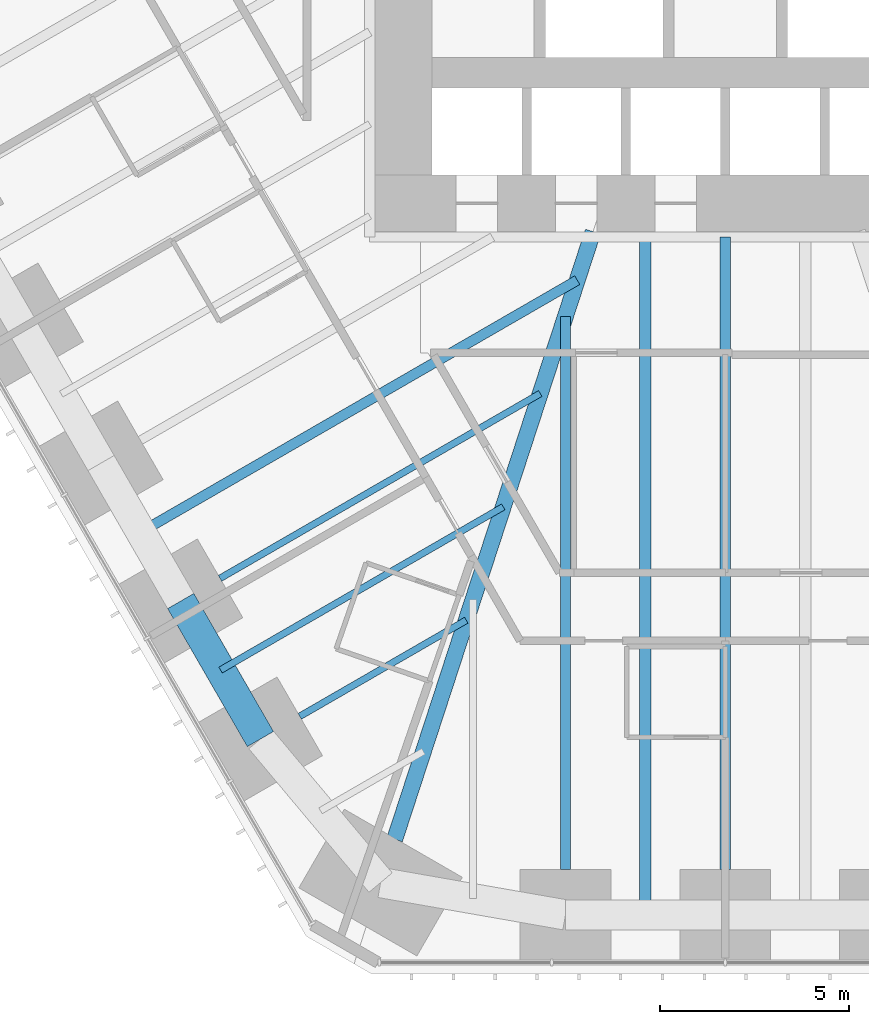
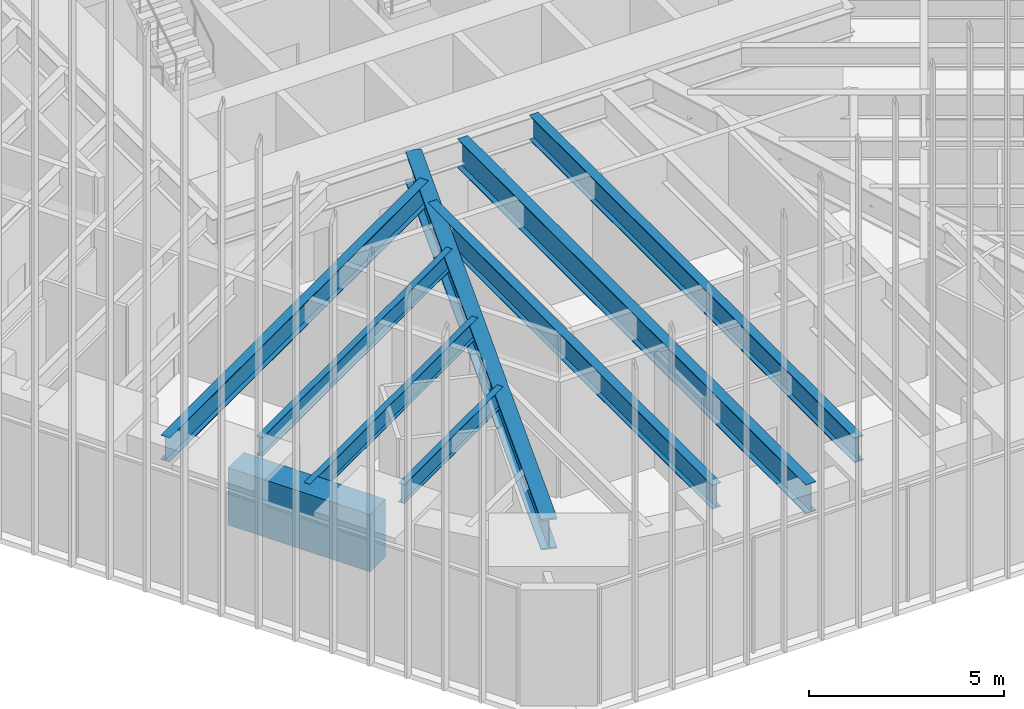
# One storey, part 39 of 256: 9 beams.
"""IFC4 building model written with IfcOpenShell, lengths in metres."""

from ifc_helpers import new_model, si_unit, direction, frame, origin, origin_2d, place, context, subcontext, project, spatial, rectangle, i_section, extrude, material, material_profile, profile_set, type_object, element, save


model = new_model("IFC4")

# Units and contexts
model_context = context("Model", 3, precision=1e-05, world=origin(), true_north=direction((0.0, 1.0)))
body_context = subcontext(model_context, "Body", "Model", "MODEL_VIEW")
ifc_project = project(units=[si_unit("LENGTHUNIT", "METRE"), si_unit("AREAUNIT", "SQUARE_METRE"), si_unit("VOLUMEUNIT", "CUBIC_METRE"), si_unit("PLANEANGLEUNIT", "RADIAN"), si_unit("MASSUNIT", "GRAM", prefix="KILO")], contexts=[model_context])

# Site, building, storey
site_placement = place(None, origin())
site = spatial("IfcSite", under=ifc_project, at=site_placement, CompositionType="ELEMENT")
building_placement = place(site_placement, origin())
building = spatial("IfcBuilding", under=site, at=building_placement, Name="Sandreach Pilgrim Tower", CompositionType="ELEMENT")
storey_placement = place(building_placement, frame((0.0, 0.0, 23.0)))
storey = spatial("IfcBuildingStorey", under=building, at=storey_placement, Name="L04", CompositionType="ELEMENT", Elevation=23.0)

# Beams
ifc_material_1 = material(Name="Steel ASTM A992 Grade 50", Category="steel")
ifc_material_profile_1 = material_profile(ifc_material_1, i_section(OverallWidth=0.424072265625, OverallDepth=0.965087890625, WebThickness=0.028564453125, FlangeThickness=0.051025390625, at=origin_2d()), Name="W36X361")
ifc_profile_set_1 = profile_set([ifc_material_profile_1], Name="Steel ASTM A992 Grade 50")
beam_type_1 = type_object("IfcBeamType", Name="Corner girder W36X361", PredefinedType="BEAM", material=ifc_profile_set_1)
beam_1_placement = place(storey_placement, frame((-8.73388671875, -26.756103515625, 3.157470703125), z_axis=(0.310315410754, 0.950633654911, 0.0), x_axis=(-0.950633654911, 0.310315410754, 0.0)))
element("IfcBeam", 1, at=beam_1_placement, inside=storey, type_object=beam_type_1, Name="BM L04 CG26", PredefinedType="BEAM", context=body_context, shape_type="SweptSolid", body=[
    extrude(i_section(OverallWidth=0.424072265625, OverallDepth=0.965087890625, WebThickness=0.028564453125, FlangeThickness=0.051025390625, at=origin_2d()), origin(), (0.0, 0.0, 1.0), 16.889892578125),
])
ifc_material_2 = material(Name="Steel ASTM A992 Grade 50", Category="steel")
ifc_material_profile_2 = material_profile(ifc_material_2, i_section(OverallWidth=0.1787109375, OverallDepth=0.60205078125, WebThickness=0.010986328125, FlangeThickness=0.014892578125, at=origin_2d()), Name="W24X62")
ifc_profile_set_2 = profile_set([ifc_material_profile_2], Name="Steel ASTM A992 Grade 50")
beam_type_2 = type_object("IfcBeamType", Name="Floor beam W24X62", PredefinedType="BEAM", material=ifc_profile_set_2)
beam_2_placement = place(storey_placement, frame((-11.242431640625, -23.5048828125, 3.339111328125), z_axis=(0.866027897259, 0.49999568115, 0.0), x_axis=(-0.49999568115, 0.866027897259, 0.0)))
element("IfcBeam", 2, at=beam_2_placement, inside=storey, type_object=beam_type_2, Name="BM L04 F27", PredefinedType="BEAM", context=body_context, shape_type="SweptSolid", body=[
    extrude(i_section(OverallWidth=0.1787109375, OverallDepth=0.60205078125, WebThickness=0.010986328125, FlangeThickness=0.014892578125, at=origin_2d()), origin(), (0.0, 0.0, 1.0), 5.0791015625),
])
beam_3_placement = place(storey_placement, frame((-13.347412109375, -19.859130859375, 3.339111328125), z_axis=(0.866025751498, 0.499999397742, 0.0), x_axis=(-0.499999397742, 0.866025751498, 0.0)))
element("IfcBeam", 3, at=beam_3_placement, inside=storey, type_object=beam_type_2, Name="BM L04 F28", PredefinedType="BEAM", context=body_context, shape_type="SweptSolid", body=[
    extrude(i_section(OverallWidth=0.1787109375, OverallDepth=0.60205078125, WebThickness=0.010986328125, FlangeThickness=0.014892578125, at=origin_2d()), origin(), (0.0, 0.0, 1.0), 9.767578125),
])
beam_4_placement = place(storey_placement, frame((-13.334228515625, -22.281982421875, 3.339111328125), z_axis=(0.86602717807, 0.499996926835, 0.0), x_axis=(-0.499996926835, 0.86602717807, 0.0)))
element("IfcBeam", 4, at=beam_4_placement, inside=storey, type_object=beam_type_2, Name="BM L04 FM27", PredefinedType="BEAM", context=body_context, shape_type="SweptSolid", body=[
    extrude(i_section(OverallWidth=0.1787109375, OverallDepth=0.60205078125, WebThickness=0.010986328125, FlangeThickness=0.014892578125, at=origin_2d()), origin(), (0.0, 0.0, 1.0), 8.62353515625),
])
ifc_material_3 = material(Name="Steel ASTM A992 Grade 50", Category="steel")
ifc_material_profile_3 = material_profile(ifc_material_3, i_section(OverallWidth=0.2666015625, OverallDepth=0.761962890625, WebThickness=0.014404296875, FlangeThickness=0.021484375, at=origin_2d()), Name="W30X116")
ifc_profile_set_3 = profile_set([ifc_material_profile_3], Name="Steel ASTM A992 Grade 50")
beam_type_3 = type_object("IfcBeamType", Name="Floor beam W30X116", PredefinedType="BEAM", material=ifc_profile_set_3)
beam_5_placement = place(storey_placement, frame((-4.222412109375, -27.55078125, 3.259033203125), z_axis=(0.0, 1.0, 0.0), x_axis=(-1.0, 0.0, 0.0)))
element("IfcBeam", 5, at=beam_5_placement, inside=storey, type_object=beam_type_3, Name="BM L04 F25", PredefinedType="BEAM", context=body_context, shape_type="SweptSolid", body=[
    extrude(i_section(OverallWidth=0.2666015625, OverallDepth=0.761962890625, WebThickness=0.014404296875, FlangeThickness=0.021484375, at=origin_2d()), origin(), (0.0, 0.0, 1.0), 14.61572265625),
])
beam_6_placement = place(storey_placement, frame((-15.43896484375, -18.63623046875, 3.259033203125), z_axis=(0.866021271874, 0.50000715661, 0.0), x_axis=(-0.50000715661, 0.866021271874, 0.0)))
element("IfcBeam", 6, at=beam_6_placement, inside=storey, type_object=beam_type_3, Name="BM L04 FM28", PredefinedType="BEAM", context=body_context, shape_type="SweptSolid", body=[
    extrude(i_section(OverallWidth=0.2666015625, OverallDepth=0.761962890625, WebThickness=0.014404296875, FlangeThickness=0.021484375, at=origin_2d()), origin(), (0.0, 0.0, 1.0), 13.311767578125),
])
ifc_material_4 = material(Name="Steel ASTM A992 Grade 50", Category="steel")
ifc_material_profile_4 = material_profile(ifc_material_4, i_section(OverallWidth=0.2666015625, OverallDepth=0.77978515625, WebThickness=0.0166015625, FlangeThickness=0.030029296875, at=origin_2d()), Name="W30X148")
ifc_profile_set_4 = profile_set([ifc_material_profile_4], Name="Steel ASTM A992 Grade 50")
beam_type_4 = type_object("IfcBeamType", Name="Floor beam W30X148", PredefinedType="BEAM", material=ifc_profile_set_4)
beam_7_placement = place(storey_placement, frame((0.0, -27.55078125, 3.25), z_axis=(0.0, 1.0, 0.0), x_axis=(-1.0, 0.0, 0.0)))
element("IfcBeam", 7, at=beam_7_placement, inside=storey, type_object=beam_type_4, Name="BM L04 F24", PredefinedType="BEAM", context=body_context, shape_type="SweptSolid", body=[
    extrude(i_section(OverallWidth=0.2666015625, OverallDepth=0.77978515625, WebThickness=0.0166015625, FlangeThickness=0.030029296875, at=origin_2d()), origin(), (0.0, 0.0, 1.0), 16.70751953125),
])
ifc_material_5 = material(Name="Steel ASTM A992 Grade 50", Category="steel")
ifc_material_profile_5 = material_profile(ifc_material_5, i_section(OverallWidth=0.3046875, OverallDepth=0.914306640625, WebThickness=0.0166015625, FlangeThickness=0.02587890625, at=origin_2d()), Name="W36X160")
ifc_profile_set_5 = profile_set([ifc_material_profile_5], Name="Steel ASTM A992 Grade 50")
beam_type_5 = type_object("IfcBeamType", Name="Floor beam W36X160", PredefinedType="BEAM", material=ifc_profile_set_5)
beam_8_placement = place(storey_placement, frame((-2.111083984375, -28.7509765625, 3.182861328125), z_axis=(0.0, 1.0, 0.0), x_axis=(-1.0, 0.0, 0.0)))
element("IfcBeam", 8, at=beam_8_placement, inside=storey, type_object=beam_type_5, Name="BM L04 FM24", PredefinedType="BEAM", context=body_context, shape_type="SweptSolid", body=[
    extrude(i_section(OverallWidth=0.3046875, OverallDepth=0.914306640625, WebThickness=0.0166015625, FlangeThickness=0.02587890625, at=origin_2d()), origin(), (0.0, 0.0, 1.0), 17.90771484375),
])
ifc_material_6 = material(Name="Concrete 10000 psi", Category="concrete")
ifc_material_profile_6 = material_profile(ifc_material_6, rectangle(XDim=0.800048828125, YDim=1.800048828125, at=origin_2d()), Name="RC800X1800")
ifc_profile_set_6 = profile_set([ifc_material_profile_6], Name="Concrete 10000 psi")
beam_type_6 = type_object("IfcBeamType", Name="Spandrel beam RC800X1800", PredefinedType="SPANDREL", material=ifc_profile_set_6)
beam_9_placement = place(storey_placement, frame((-12.28173828125, -24.10498046875, 2.739990234375), z_axis=(-0.499993523031, 0.866029143232, 0.0), x_axis=(-0.866029143232, -0.499993523031, 0.0)))
element("IfcBeam", 9, at=beam_9_placement, inside=storey, type_object=beam_type_6, Name="BM L04 SP27", PredefinedType="SPANDREL", context=body_context, shape_type="SweptSolid", body=[
    extrude(rectangle(XDim=0.800048828125, YDim=1.800048828125, at=origin_2d()), origin(), (0.0, 0.0, 1.0), 4.2099609375),
])

save(model, "model.ifc")
